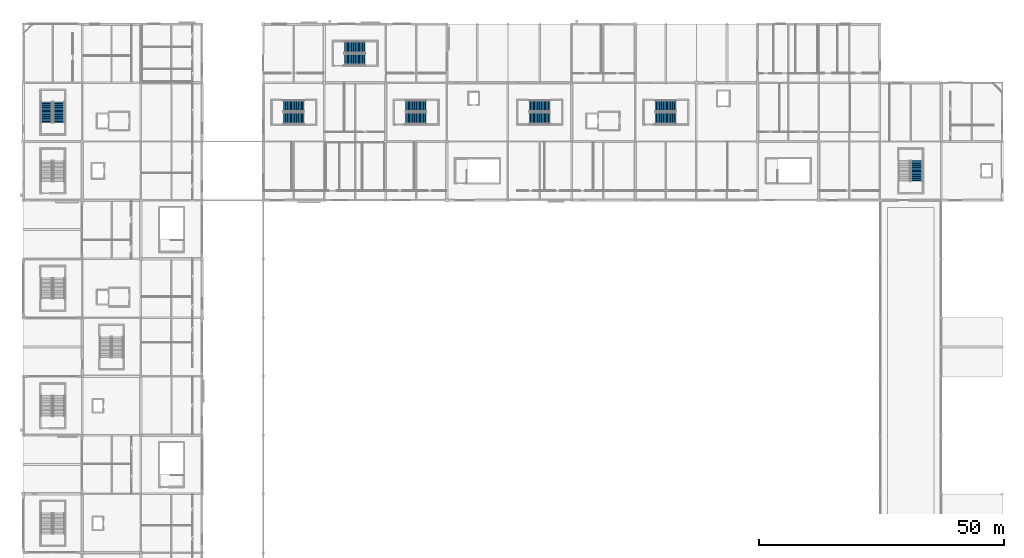
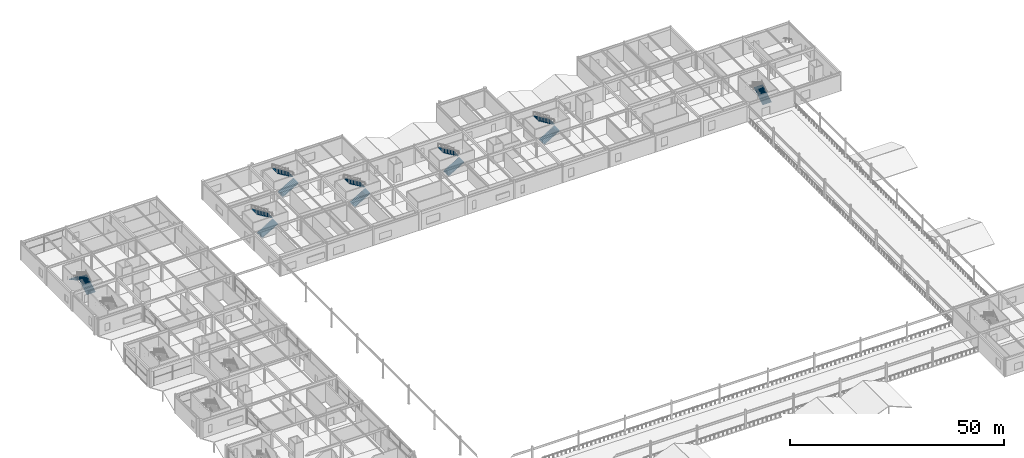
# One storey, part 86 of 105: 13 stair flights, 7 elements without a shape of their own.
"""IFC4 building model written with IfcOpenShell, lengths in metres."""

import ifcopenshell
import ifcopenshell.guid

model = None  # the IFC model being written
_history = None  # IfcOwnerHistory: only IFC2X3 demands one
_inside = {}  # id of a spatial element -> (the spatial element, [elements in it])
_under = {}  # id of a project, library or spatial element -> (it, [spatial elements below it])
_declared = {}  # id of a project -> (the project, [libraries it declares])
_typed = {}  # id of a type object -> (the type object, [elements of that type])
_made_of = {}  # id of a material, layer set ... -> (it, [elements and type objects made of it])


def new_model(schema):
    """Start an empty IFC model of exactly this schema.

    Asked for "IFC4X3", IfcOpenShell would pick the latest addendum, in which some entities
    have other attributes; the version numbers below select the first issue.
    IFC2X3 requires an IfcOwnerHistory on every rooted entity: one is made here for all.
    """
    global model, _history
    if schema == "IFC4X3":
        model = ifcopenshell.file(schema_version=(4, 3, 0, 0))
    else:
        model = ifcopenshell.file(schema=schema)
    _inside.clear()
    _under.clear()
    _declared.clear()
    _typed.clear()
    _made_of.clear()
    _history = None
    if model.schema == "IFC2X3":
        org = make("IfcOrganization", Name="unknown")
        user = make(
            "IfcPersonAndOrganization",
            ThePerson=make("IfcPerson", FamilyName="unknown"),
            TheOrganization=org,
        )
        app = make(
            "IfcApplication",
            ApplicationDeveloper=org,
            Version="unknown",
            ApplicationFullName="unknown",
            ApplicationIdentifier="unknown",
        )
        _history = make(
            "IfcOwnerHistory",
            OwningUser=user,
            OwningApplication=app,
            ChangeAction="ADDED",
            CreationDate=0,
        )
    return model


def make(cls, **values):
    """One entity of the class cls with the attributes given. An attribute that is None is left unset."""
    return model.create_entity(
        cls, **{name: value for name, value in values.items() if value is not None}
    )


def rooted(cls, **values):
    """An entity with a GlobalId (a new one), such as an element, a storey or a relation."""
    return make(cls, GlobalId=ifcopenshell.guid.new(), OwnerHistory=_history, **values)


def si_unit(unit_type, name, prefix=None):
    """IfcSIUnit, for example si_unit("LENGTHUNIT", "METRE", prefix="MILLI")."""
    return make("IfcSIUnit", UnitType=unit_type, Prefix=prefix, Name=name)


def assignment(units):
    """IfcUnitAssignment: the units of a project."""
    return None if units is None else make("IfcUnitAssignment", Units=units)


def point(xyz):
    """IfcCartesianPoint."""
    return None if xyz is None else make("IfcCartesianPoint", Coordinates=xyz)


def direction(xyz):
    """IfcDirection."""
    return None if xyz is None else make("IfcDirection", DirectionRatios=xyz)


def frame(location, z_axis=None, x_axis=None):
    """IfcAxis2Placement3D, a coordinate frame: its origin and axes. An axis left out is left unset."""
    return make(
        "IfcAxis2Placement3D",
        Location=point(location),
        Axis=direction(z_axis),
        RefDirection=direction(x_axis),
    )


def origin():
    """The frame at (0, 0, 0) with its axes left unset."""
    return frame((0.0, 0.0, 0.0))


def place(relative_to, where):
    """IfcLocalPlacement: puts the frame where relative to a parent placement (None: the world)."""
    return make(
        "IfcLocalPlacement", PlacementRelTo=relative_to, RelativePlacement=where
    )


def context(
    kind, dimensions, precision=None, world=None, true_north=None, identifier=None
):
    """IfcGeometricRepresentationContext, for example the 3D "Model" context."""
    return make(
        "IfcGeometricRepresentationContext",
        ContextIdentifier=identifier,
        ContextType=kind,
        CoordinateSpaceDimension=dimensions,
        Precision=precision,
        WorldCoordinateSystem=world,
        TrueNorth=true_north,
    )


def subcontext(parent, identifier, kind, view, scale=None):
    """IfcGeometricRepresentationSubContext, for example "Body" below "Model"."""
    return make(
        "IfcGeometricRepresentationSubContext",
        ContextIdentifier=identifier,
        ContextType=kind,
        ParentContext=parent,
        TargetScale=scale,
        TargetView=view,
    )


def project(units=None, contexts=None):
    """IfcProject with its units and contexts."""
    return rooted(
        "IfcProject",
        Name="project",
        RepresentationContexts=contexts,
        UnitsInContext=assignment(units),
    )


def spatial(cls, under=None, at=None, **own):
    """A site, building, storey or space (cls), placed at a placement, below another one or the project."""
    s = rooted(cls, ObjectPlacement=at, **own)
    if under is not None:
        _under.setdefault(under.id(), (under, []))[1].append(s)
    return s


def polyline(points):
    """IfcPolyline through the points."""
    return make("IfcPolyline", Points=[point(p) for p in points])


def outline(outer, holes=None, kind="AREA"):
    """IfcArbitraryClosedProfileDef: a profile drawn as a closed curve; with holes, ...WithVoids."""
    if holes is None:
        return make("IfcArbitraryClosedProfileDef", ProfileType=kind, OuterCurve=outer)
    return make(
        "IfcArbitraryProfileDefWithVoids",
        ProfileType=kind,
        OuterCurve=outer,
        InnerCurves=holes,
    )


def extrude(swept, where, along, depth):
    """IfcExtrudedAreaSolid: the profile swept, set in the frame where, extruded along a direction by depth."""
    return make(
        "IfcExtrudedAreaSolid",
        SweptArea=swept,
        Position=where,
        ExtrudedDirection=direction(along),
        Depth=depth,
    )


def shape(context_of_items, identifier, shape_type, items):
    """IfcShapeRepresentation: the items that make up one representation, for example the "Body"."""
    return make(
        "IfcShapeRepresentation",
        ContextOfItems=context_of_items,
        RepresentationIdentifier=identifier,
        RepresentationType=shape_type,
        Items=items,
    )


def material(Name=None, Category=None):
    """IfcMaterial."""
    return make("IfcMaterial", Name=Name, Category=Category)


def made_of(thing, what):
    """Note that an element or type object is made of a material, layer set ...; save() writes the relation."""
    if what is not None:
        _made_of.setdefault(what.id(), (what, []))[1].append(thing)
    return thing


def type_object(cls, material=None, **own):
    """A type object (cls), such as IfcWallType, which elements share."""
    return made_of(rooted(cls, **own), material)


def element(
    cls,
    number,
    at=None,
    inside=None,
    cuts=None,
    type_object=None,
    material=None,
    context=None,
    identifier="Body",
    shape_type=None,
    held_by="IfcProductDefinitionShape",
    body=None,
    shapes=None,
    **own,
):
    """One element of the class cls, such as IfcWall. Its Tag is "e" and its number.

    at: its placement. inside: the storey or other place that contains it. cuts: it is an
    opening in that element (IfcRelVoidsElement). A single representation is given by context,
    identifier, shape_type and body (its items); several are given by shapes. held_by: the class
    of the entity that holds the representations. save() writes the other relations.
    """
    e = rooted(cls, Tag="e%d" % number, ObjectPlacement=at, **own)
    if body is not None:
        shapes = [shape(context, identifier, shape_type, body)]
    if shapes is not None:
        e.Representation = make(held_by, Representations=shapes)
    if inside is not None:
        _inside.setdefault(inside.id(), (inside, []))[1].append(e)
    if cuts is not None:
        rooted(
            "IfcRelVoidsElement", RelatingBuildingElement=cuts, RelatedOpeningElement=e
        )
    if type_object is not None:
        _typed.setdefault(type_object.id(), (type_object, []))[1].append(e)
    return made_of(e, material)


def aggregate(whole, parts):
    """IfcRelAggregates: a whole, such as a stair, and the parts it consists of."""
    return rooted("IfcRelAggregates", RelatingObject=whole, RelatedObjects=parts)


def save(model, path):
    """Write the relations noted so far, then the file.

    IfcRelAggregates (storeys below a building ...), IfcRelContainedInSpatialStructure (elements
    in a storey), IfcRelDefinesByType, IfcRelAssociatesMaterial and IfcRelDeclares: one each for
    every whole, place, type object, material and project.
    """
    for whole, parts in _under.values():
        aggregate(whole, parts)
    for where, things in _inside.values():
        rooted(
            "IfcRelContainedInSpatialStructure",
            RelatedElements=things,
            RelatingStructure=where,
        )
    for kind, things in _typed.values():
        rooted("IfcRelDefinesByType", RelatedObjects=things, RelatingType=kind)
    for what, things in _made_of.values():
        rooted("IfcRelAssociatesMaterial", RelatedObjects=things, RelatingMaterial=what)
    for by, libraries in _declared.values():
        rooted("IfcRelDeclares", RelatingContext=by, RelatedDefinitions=libraries)
    model.write(path)


model = new_model("IFC4")

# Units and contexts
model_context = context("Model", 3, precision=1e-05, world=origin(), true_north=direction((0.0, 1.0)))
body_context = subcontext(model_context, "Body", "Model", "MODEL_VIEW")
ifc_project = project(units=[si_unit("LENGTHUNIT", "METRE"), si_unit("AREAUNIT", "SQUARE_METRE"), si_unit("VOLUMEUNIT", "CUBIC_METRE"), si_unit("PLANEANGLEUNIT", "RADIAN"), si_unit("MASSUNIT", "GRAM", prefix="KILO")], contexts=[model_context])

# Site, building, storey
site_placement = place(None, origin())
site = spatial("IfcSite", under=ifc_project, at=site_placement, CompositionType="ELEMENT")
building_placement = place(site_placement, origin())
building = spatial("IfcBuilding", under=site, at=building_placement, Name="Kazenohara Klinker Stadium", CompositionType="ELEMENT")
storey_placement = place(building_placement, frame((0.0, 0.0, 20.39990234375)))
storey = spatial("IfcBuildingStorey", under=building, at=storey_placement, Name="L04", CompositionType="ELEMENT", Elevation=20.39990234375)

# Stair, stair flights
ifc_material = material(Name="Concrete C40/50", Category="concrete")
stair_type_1 = type_object("IfcStairType", Name="STR-DL-2300", PredefinedType="HALF_TURN_STAIR", material=ifc_material)
stair_1_placement = place(storey_placement, origin())
stair_1 = element("IfcStair", 1, at=stair_1_placement, inside=storey, type_object=stair_type_1, Name="L04 Enclosed escape stair ST09", PredefinedType="HALF_TURN_STAIR")
stair_flight_type_1 = type_object("IfcStairFlightType", Name="FLT-DL-2300-5400", PredefinedType="STRAIGHT", material=ifc_material)
stair_flight_1_placement = place(storey_placement, frame((78.090087890625, 148.75, 0.0), z_axis=(0.0, 0.0, 1.0), x_axis=(1.0, 0.0, 0.0)))
stair_flight_1 = element("IfcStairFlight", 2, at=stair_flight_1_placement, type_object=stair_flight_type_1, Name="ST09 flight 1", NumberOfRisers=16, NumberOfTreads=15, PredefinedType="STRAIGHT", RiserHeight=0.16875, TreadLength=0.28, context=body_context, shape_type="SweptSolid", body=[
    extrude(outline(polyline([(0.0, 0.0), (0.0, 0.168701171875), (0.280029296875, 0.168701171875), (0.280029296875, 0.33740234375), (0.56005859375, 0.33740234375), (0.56005859375, 0.50634765625), (0.840087890625, 0.50634765625), (0.840087890625, 0.675048828125), (1.1201171875, 0.675048828125), (1.1201171875, 0.84375), (1.39990234375, 0.84375), (1.39990234375, 1.012451171875), (1.679931640625, 1.012451171875), (1.679931640625, 1.18115234375), (1.9599609375, 1.18115234375), (1.9599609375, 1.35009765625), (2.239990234375, 1.35009765625), (2.239990234375, 1.518798828125), (2.52001953125, 1.518798828125), (2.52001953125, 1.6875), (2.800048828125, 1.6875), (2.800048828125, 1.856201171875), (3.080078125, 1.856201171875), (3.080078125, 2.02490234375), (3.360107421875, 2.02490234375), (3.360107421875, 2.19384765625), (3.639892578125, 2.19384765625), (3.639892578125, 2.362548828125), (3.919921875, 2.362548828125), (3.919921875, 2.53125), (4.199951171875, 2.53125), (4.199951171875, 2.699951171875), (4.199951171875, 2.356201171875), (0.29052734375, 0.0), (0.0, 0.0)])), frame((0.0, 1.14990234375, 0.0), z_axis=(0.0, -1.0, 0.0), x_axis=(1.0, 0.0, 0.0)), (0.0, 0.0, 1.0), 2.300048828125),
])
stair_flight_2_placement = place(storey_placement, frame((82.2900390625, 151.25, 2.7001953125), z_axis=(0.0, 0.0, 1.0), x_axis=(-1.0, 0.0, 0.0)))
stair_flight_2 = element("IfcStairFlight", 3, at=stair_flight_2_placement, type_object=stair_flight_type_1, Name="ST09 flight 2", NumberOfRisers=16, NumberOfTreads=15, PredefinedType="STRAIGHT", RiserHeight=0.16875, TreadLength=0.28, context=body_context, shape_type="SweptSolid", body=[
    extrude(outline(polyline([(0.0, 0.0), (0.0, 0.168701171875), (0.280029296875, 0.168701171875), (0.280029296875, 0.33740234375), (0.56005859375, 0.33740234375), (0.56005859375, 0.50634765625), (0.840087890625, 0.50634765625), (0.840087890625, 0.675048828125), (1.1201171875, 0.675048828125), (1.1201171875, 0.84375), (1.39990234375, 0.84375), (1.39990234375, 1.012451171875), (1.679931640625, 1.012451171875), (1.679931640625, 1.18115234375), (1.9599609375, 1.18115234375), (1.9599609375, 1.35009765625), (2.239990234375, 1.35009765625), (2.239990234375, 1.518798828125), (2.52001953125, 1.518798828125), (2.52001953125, 1.6875), (2.800048828125, 1.6875), (2.800048828125, 1.856201171875), (3.080078125, 1.856201171875), (3.080078125, 2.02490234375), (3.360107421875, 2.02490234375), (3.360107421875, 2.19384765625), (3.639892578125, 2.19384765625), (3.639892578125, 2.362548828125), (3.919921875, 2.362548828125), (3.919921875, 2.53125), (4.199951171875, 2.53125), (4.199951171875, 2.699951171875), (4.199951171875, 2.356201171875), (0.29052734375, 0.0), (0.0, 0.0)])), frame((0.0, 1.14990234375, 0.0), z_axis=(0.0, -1.0, 0.0), x_axis=(1.0, 0.0, 0.0)), (0.0, 0.0, 1.0), 2.300048828125),
])
aggregate(stair_1, [stair_flight_1, stair_flight_2])

stair_type_2 = type_object("IfcStairType", Name="STR-DL-2310", PredefinedType="HALF_TURN_STAIR", material=ifc_material)
stair_2_placement = place(storey_placement, origin())
stair_2 = element("IfcStair", 4, at=stair_2_placement, inside=storey, type_object=stair_type_2, Name="L04 Enclosed escape stair ST06", PredefinedType="HALF_TURN_STAIR")
stair_flight_type_2 = type_object("IfcStairFlightType", Name="FLT-DL-2310-5400", PredefinedType="STRAIGHT", material=ifc_material)
stair_flight_3_placement = place(storey_placement, frame((7.2548828125, 147.85009765625, 0.0), z_axis=(0.0, 0.0, 1.0), x_axis=(0.0, 1.0, 0.0)))
stair_flight_3 = element("IfcStairFlight", 5, at=stair_flight_3_placement, type_object=stair_flight_type_2, Name="ST06 flight 1", NumberOfRisers=16, NumberOfTreads=15, PredefinedType="STRAIGHT", RiserHeight=0.16875, TreadLength=0.28, context=body_context, shape_type="SweptSolid", body=[
    extrude(outline(polyline([(0.0, 0.0), (0.0, 0.168701171875), (0.280029296875, 0.168701171875), (0.280029296875, 0.33740234375), (0.56005859375, 0.33740234375), (0.56005859375, 0.50634765625), (0.840087890625, 0.50634765625), (0.840087890625, 0.675048828125), (1.1201171875, 0.675048828125), (1.1201171875, 0.84375), (1.39990234375, 0.84375), (1.39990234375, 1.012451171875), (1.679931640625, 1.012451171875), (1.679931640625, 1.18115234375), (1.9599609375, 1.18115234375), (1.9599609375, 1.35009765625), (2.239990234375, 1.35009765625), (2.239990234375, 1.518798828125), (2.52001953125, 1.518798828125), (2.52001953125, 1.6875), (2.800048828125, 1.6875), (2.800048828125, 1.856201171875), (3.080078125, 1.856201171875), (3.080078125, 2.02490234375), (3.360107421875, 2.02490234375), (3.360107421875, 2.19384765625), (3.639892578125, 2.19384765625), (3.639892578125, 2.362548828125), (3.919921875, 2.362548828125), (3.919921875, 2.53125), (4.199951171875, 2.53125), (4.199951171875, 2.699951171875), (4.199951171875, 2.356201171875), (0.29052734375, 0.0), (0.0, 0.0)])), frame((0.0, 1.155029296875, 0.0), z_axis=(0.0, -1.0, 0.0), x_axis=(1.0, 0.0, 0.0)), (0.0, 0.0, 1.0), 2.31005859375),
])
stair_flight_4_placement = place(storey_placement, frame((4.7451171875, 152.050048828125, 2.7001953125), z_axis=(0.0, 0.0, 1.0), x_axis=(0.0, -1.0, 0.0)))
stair_flight_4 = element("IfcStairFlight", 6, at=stair_flight_4_placement, type_object=stair_flight_type_2, Name="ST06 flight 2", NumberOfRisers=16, NumberOfTreads=15, PredefinedType="STRAIGHT", RiserHeight=0.16875, TreadLength=0.28, context=body_context, shape_type="SweptSolid", body=[
    extrude(outline(polyline([(0.0, 0.0), (0.0, 0.168701171875), (0.280029296875, 0.168701171875), (0.280029296875, 0.33740234375), (0.56005859375, 0.33740234375), (0.56005859375, 0.50634765625), (0.840087890625, 0.50634765625), (0.840087890625, 0.675048828125), (1.1201171875, 0.675048828125), (1.1201171875, 0.84375), (1.39990234375, 0.84375), (1.39990234375, 1.012451171875), (1.679931640625, 1.012451171875), (1.679931640625, 1.18115234375), (1.9599609375, 1.18115234375), (1.9599609375, 1.35009765625), (2.239990234375, 1.35009765625), (2.239990234375, 1.518798828125), (2.52001953125, 1.518798828125), (2.52001953125, 1.6875), (2.800048828125, 1.6875), (2.800048828125, 1.856201171875), (3.080078125, 1.856201171875), (3.080078125, 2.02490234375), (3.360107421875, 2.02490234375), (3.360107421875, 2.19384765625), (3.639892578125, 2.19384765625), (3.639892578125, 2.362548828125), (3.919921875, 2.362548828125), (3.919921875, 2.53125), (4.199951171875, 2.53125), (4.199951171875, 2.699951171875), (4.199951171875, 2.356201171875), (0.29052734375, 0.0), (0.0, 0.0)])), frame((0.0, 1.155029296875, 0.0), z_axis=(0.0, -1.0, 0.0), x_axis=(1.0, 0.0, 0.0)), (0.0, 0.0, 1.0), 2.31005859375),
])
aggregate(stair_2, [stair_flight_3, stair_flight_4])

stair_3_placement = place(storey_placement, origin())
stair_3 = element("IfcStair", 7, at=stair_3_placement, inside=storey, type_object=stair_type_2, Name="L04 Enclosed escape stair ST10", PredefinedType="HALF_TURN_STAIR")
stair_flight_5_placement = place(storey_placement, frame((103.35009765625, 148.7451171875, 0.0), z_axis=(0.0, 0.0, 1.0), x_axis=(1.0, 0.0, 0.0)))
stair_flight_5 = element("IfcStairFlight", 8, at=stair_flight_5_placement, type_object=stair_flight_type_2, Name="ST10 flight 1", NumberOfRisers=16, NumberOfTreads=15, PredefinedType="STRAIGHT", RiserHeight=0.16875, TreadLength=0.28, context=body_context, shape_type="SweptSolid", body=[
    extrude(outline(polyline([(0.0, 0.0), (0.0, 0.168701171875), (0.280029296875, 0.168701171875), (0.280029296875, 0.33740234375), (0.56005859375, 0.33740234375), (0.56005859375, 0.50634765625), (0.840087890625, 0.50634765625), (0.840087890625, 0.675048828125), (1.1201171875, 0.675048828125), (1.1201171875, 0.84375), (1.39990234375, 0.84375), (1.39990234375, 1.012451171875), (1.679931640625, 1.012451171875), (1.679931640625, 1.18115234375), (1.9599609375, 1.18115234375), (1.9599609375, 1.35009765625), (2.239990234375, 1.35009765625), (2.239990234375, 1.518798828125), (2.52001953125, 1.518798828125), (2.52001953125, 1.6875), (2.800048828125, 1.6875), (2.800048828125, 1.856201171875), (3.080078125, 1.856201171875), (3.080078125, 2.02490234375), (3.360107421875, 2.02490234375), (3.360107421875, 2.19384765625), (3.639892578125, 2.19384765625), (3.639892578125, 2.362548828125), (3.919921875, 2.362548828125), (3.919921875, 2.53125), (4.199951171875, 2.53125), (4.199951171875, 2.699951171875), (4.199951171875, 2.356201171875), (0.29052734375, 0.0), (0.0, 0.0)])), frame((0.0, 1.155029296875, 0.0), z_axis=(0.0, -1.0, 0.0), x_axis=(1.0, 0.0, 0.0)), (0.0, 0.0, 1.0), 2.31005859375),
])
stair_flight_6_placement = place(storey_placement, frame((107.550048828125, 151.2548828125, 2.7001953125), z_axis=(0.0, 0.0, 1.0), x_axis=(-1.0, 0.0, 0.0)))
stair_flight_6 = element("IfcStairFlight", 9, at=stair_flight_6_placement, type_object=stair_flight_type_2, Name="ST10 flight 2", NumberOfRisers=16, NumberOfTreads=15, PredefinedType="STRAIGHT", RiserHeight=0.16875, TreadLength=0.28, context=body_context, shape_type="SweptSolid", body=[
    extrude(outline(polyline([(0.0, 0.0), (0.0, 0.168701171875), (0.280029296875, 0.168701171875), (0.280029296875, 0.33740234375), (0.56005859375, 0.33740234375), (0.56005859375, 0.50634765625), (0.840087890625, 0.50634765625), (0.840087890625, 0.675048828125), (1.1201171875, 0.675048828125), (1.1201171875, 0.84375), (1.39990234375, 0.84375), (1.39990234375, 1.012451171875), (1.679931640625, 1.012451171875), (1.679931640625, 1.18115234375), (1.9599609375, 1.18115234375), (1.9599609375, 1.35009765625), (2.239990234375, 1.35009765625), (2.239990234375, 1.518798828125), (2.52001953125, 1.518798828125), (2.52001953125, 1.6875), (2.800048828125, 1.6875), (2.800048828125, 1.856201171875), (3.080078125, 1.856201171875), (3.080078125, 2.02490234375), (3.360107421875, 2.02490234375), (3.360107421875, 2.19384765625), (3.639892578125, 2.19384765625), (3.639892578125, 2.362548828125), (3.919921875, 2.362548828125), (3.919921875, 2.53125), (4.199951171875, 2.53125), (4.199951171875, 2.699951171875), (4.199951171875, 2.356201171875), (0.29052734375, 0.0), (0.0, 0.0)])), frame((0.0, 1.155029296875, 0.0), z_axis=(0.0, -1.0, 0.0), x_axis=(1.0, 0.0, 0.0)), (0.0, 0.0, 1.0), 2.31005859375),
])
aggregate(stair_3, [stair_flight_5, stair_flight_6])

stair_type_3 = type_object("IfcStairType", Name="STR-DL-2330", PredefinedType="HALF_TURN_STAIR", material=ifc_material)
stair_4_placement = place(storey_placement, origin())
stair_4 = element("IfcStair", 10, at=stair_4_placement, inside=storey, type_object=stair_type_3, Name="L04 Enclosed escape stair ST11", PredefinedType="HALF_TURN_STAIR")
stair_flight_type_3 = type_object("IfcStairFlightType", Name="FLT-DL-2330-5400", PredefinedType="STRAIGHT", material=ifc_material)
stair_flight_7_placement = place(storey_placement, frame((129.1201171875, 148.735107421875, 0.0), z_axis=(0.0, 0.0, 1.0), x_axis=(1.0, 0.0, 0.0)))
stair_flight_7 = element("IfcStairFlight", 11, at=stair_flight_7_placement, type_object=stair_flight_type_3, Name="ST11 flight 1", NumberOfRisers=16, NumberOfTreads=15, PredefinedType="STRAIGHT", RiserHeight=0.16875, TreadLength=0.28, context=body_context, shape_type="SweptSolid", body=[
    extrude(outline(polyline([(0.0, 0.0), (0.0, 0.168701171875), (0.280029296875, 0.168701171875), (0.280029296875, 0.33740234375), (0.56005859375, 0.33740234375), (0.56005859375, 0.50634765625), (0.840087890625, 0.50634765625), (0.840087890625, 0.675048828125), (1.1201171875, 0.675048828125), (1.1201171875, 0.84375), (1.39990234375, 0.84375), (1.39990234375, 1.012451171875), (1.679931640625, 1.012451171875), (1.679931640625, 1.18115234375), (1.9599609375, 1.18115234375), (1.9599609375, 1.35009765625), (2.239990234375, 1.35009765625), (2.239990234375, 1.518798828125), (2.52001953125, 1.518798828125), (2.52001953125, 1.6875), (2.800048828125, 1.6875), (2.800048828125, 1.856201171875), (3.080078125, 1.856201171875), (3.080078125, 2.02490234375), (3.360107421875, 2.02490234375), (3.360107421875, 2.19384765625), (3.639892578125, 2.19384765625), (3.639892578125, 2.362548828125), (3.919921875, 2.362548828125), (3.919921875, 2.53125), (4.199951171875, 2.53125), (4.199951171875, 2.699951171875), (4.199951171875, 2.356201171875), (0.29052734375, 0.0), (0.0, 0.0)])), frame((0.0, 1.1650390625, 0.0), z_axis=(0.0, -1.0, 0.0), x_axis=(1.0, 0.0, 0.0)), (0.0, 0.0, 1.0), 2.330078125),
])
stair_flight_8_placement = place(storey_placement, frame((133.320068359375, 151.264892578125, 2.7001953125), z_axis=(0.0, 0.0, 1.0), x_axis=(-1.0, 0.0, 0.0)))
stair_flight_8 = element("IfcStairFlight", 12, at=stair_flight_8_placement, type_object=stair_flight_type_3, Name="ST11 flight 2", NumberOfRisers=16, NumberOfTreads=15, PredefinedType="STRAIGHT", RiserHeight=0.16875, TreadLength=0.28, context=body_context, shape_type="SweptSolid", body=[
    extrude(outline(polyline([(0.0, 0.0), (0.0, 0.168701171875), (0.280029296875, 0.168701171875), (0.280029296875, 0.33740234375), (0.56005859375, 0.33740234375), (0.56005859375, 0.50634765625), (0.840087890625, 0.50634765625), (0.840087890625, 0.675048828125), (1.1201171875, 0.675048828125), (1.1201171875, 0.84375), (1.39990234375, 0.84375), (1.39990234375, 1.012451171875), (1.679931640625, 1.012451171875), (1.679931640625, 1.18115234375), (1.9599609375, 1.18115234375), (1.9599609375, 1.35009765625), (2.239990234375, 1.35009765625), (2.239990234375, 1.518798828125), (2.52001953125, 1.518798828125), (2.52001953125, 1.6875), (2.800048828125, 1.6875), (2.800048828125, 1.856201171875), (3.080078125, 1.856201171875), (3.080078125, 2.02490234375), (3.360107421875, 2.02490234375), (3.360107421875, 2.19384765625), (3.639892578125, 2.19384765625), (3.639892578125, 2.362548828125), (3.919921875, 2.362548828125), (3.919921875, 2.53125), (4.199951171875, 2.53125), (4.199951171875, 2.699951171875), (4.199951171875, 2.356201171875), (0.29052734375, 0.0), (0.0, 0.0)])), frame((0.0, 1.1650390625, 0.0), z_axis=(0.0, -1.0, 0.0), x_axis=(1.0, 0.0, 0.0)), (0.0, 0.0, 1.0), 2.330078125),
])
aggregate(stair_4, [stair_flight_7, stair_flight_8])

stair_5_placement = place(storey_placement, origin())
stair_5 = element("IfcStair", 13, at=stair_5_placement, inside=storey, type_object=stair_type_3, Name="L04 Enclosed escape stair ST15", PredefinedType="HALF_TURN_STAIR")
stair_flight_9_placement = place(storey_placement, frame((65.6201171875, 160.735107421875, 0.0), z_axis=(0.0, 0.0, 1.0), x_axis=(1.0, 0.0, 0.0)))
stair_flight_9 = element("IfcStairFlight", 14, at=stair_flight_9_placement, type_object=stair_flight_type_3, Name="ST15 flight 1", NumberOfRisers=16, NumberOfTreads=15, PredefinedType="STRAIGHT", RiserHeight=0.16875, TreadLength=0.28, context=body_context, shape_type="SweptSolid", body=[
    extrude(outline(polyline([(0.0, 0.0), (0.0, 0.168701171875), (0.280029296875, 0.168701171875), (0.280029296875, 0.33740234375), (0.56005859375, 0.33740234375), (0.56005859375, 0.50634765625), (0.840087890625, 0.50634765625), (0.840087890625, 0.675048828125), (1.1201171875, 0.675048828125), (1.1201171875, 0.84375), (1.39990234375, 0.84375), (1.39990234375, 1.012451171875), (1.679931640625, 1.012451171875), (1.679931640625, 1.18115234375), (1.9599609375, 1.18115234375), (1.9599609375, 1.35009765625), (2.239990234375, 1.35009765625), (2.239990234375, 1.518798828125), (2.52001953125, 1.518798828125), (2.52001953125, 1.6875), (2.800048828125, 1.6875), (2.800048828125, 1.856201171875), (3.080078125, 1.856201171875), (3.080078125, 2.02490234375), (3.360107421875, 2.02490234375), (3.360107421875, 2.19384765625), (3.639892578125, 2.19384765625), (3.639892578125, 2.362548828125), (3.919921875, 2.362548828125), (3.919921875, 2.53125), (4.199951171875, 2.53125), (4.199951171875, 2.699951171875), (4.199951171875, 2.356201171875), (0.29052734375, 0.0), (0.0, 0.0)])), frame((0.0, 1.1650390625, 0.0), z_axis=(0.0, -1.0, 0.0), x_axis=(1.0, 0.0, 0.0)), (0.0, 0.0, 1.0), 2.330078125),
])
stair_flight_10_placement = place(storey_placement, frame((69.820068359375, 163.264892578125, 2.7001953125), z_axis=(0.0, 0.0, 1.0), x_axis=(-1.0, 0.0, 0.0)))
stair_flight_10 = element("IfcStairFlight", 15, at=stair_flight_10_placement, type_object=stair_flight_type_3, Name="ST15 flight 2", NumberOfRisers=16, NumberOfTreads=15, PredefinedType="STRAIGHT", RiserHeight=0.16875, TreadLength=0.28, context=body_context, shape_type="SweptSolid", body=[
    extrude(outline(polyline([(0.0, 0.0), (0.0, 0.168701171875), (0.280029296875, 0.168701171875), (0.280029296875, 0.33740234375), (0.56005859375, 0.33740234375), (0.56005859375, 0.50634765625), (0.840087890625, 0.50634765625), (0.840087890625, 0.675048828125), (1.1201171875, 0.675048828125), (1.1201171875, 0.84375), (1.39990234375, 0.84375), (1.39990234375, 1.012451171875), (1.679931640625, 1.012451171875), (1.679931640625, 1.18115234375), (1.9599609375, 1.18115234375), (1.9599609375, 1.35009765625), (2.239990234375, 1.35009765625), (2.239990234375, 1.518798828125), (2.52001953125, 1.518798828125), (2.52001953125, 1.6875), (2.800048828125, 1.6875), (2.800048828125, 1.856201171875), (3.080078125, 1.856201171875), (3.080078125, 2.02490234375), (3.360107421875, 2.02490234375), (3.360107421875, 2.19384765625), (3.639892578125, 2.19384765625), (3.639892578125, 2.362548828125), (3.919921875, 2.362548828125), (3.919921875, 2.53125), (4.199951171875, 2.53125), (4.199951171875, 2.699951171875), (4.199951171875, 2.356201171875), (0.29052734375, 0.0), (0.0, 0.0)])), frame((0.0, 1.1650390625, 0.0), z_axis=(0.0, -1.0, 0.0), x_axis=(1.0, 0.0, 0.0)), (0.0, 0.0, 1.0), 2.330078125),
])
aggregate(stair_5, [stair_flight_9, stair_flight_10])

stair_type_4 = type_object("IfcStairType", Name="STR-DL-2340", PredefinedType="HALF_TURN_STAIR", material=ifc_material)
stair_6_placement = place(storey_placement, origin())
stair_6 = element("IfcStair", 16, at=stair_6_placement, inside=storey, type_object=stair_type_4, Name="L04 Enclosed escape stair ST08", PredefinedType="HALF_TURN_STAIR")
stair_flight_type_4 = type_object("IfcStairFlightType", Name="FLT-DL-2340-5400", PredefinedType="STRAIGHT", material=ifc_material)
stair_flight_11_placement = place(storey_placement, frame((53.1298828125, 148.72998046875, 0.0), z_axis=(0.0, 0.0, 1.0), x_axis=(1.0, 0.0, 0.0)))
stair_flight_11 = element("IfcStairFlight", 17, at=stair_flight_11_placement, type_object=stair_flight_type_4, Name="ST08 flight 1", NumberOfRisers=16, NumberOfTreads=15, PredefinedType="STRAIGHT", RiserHeight=0.16875, TreadLength=0.28, context=body_context, shape_type="SweptSolid", body=[
    extrude(outline(polyline([(0.0, 0.0), (0.0, 0.168701171875), (0.280029296875, 0.168701171875), (0.280029296875, 0.33740234375), (0.56005859375, 0.33740234375), (0.56005859375, 0.50634765625), (0.840087890625, 0.50634765625), (0.840087890625, 0.675048828125), (1.1201171875, 0.675048828125), (1.1201171875, 0.84375), (1.39990234375, 0.84375), (1.39990234375, 1.012451171875), (1.679931640625, 1.012451171875), (1.679931640625, 1.18115234375), (1.9599609375, 1.18115234375), (1.9599609375, 1.35009765625), (2.239990234375, 1.35009765625), (2.239990234375, 1.518798828125), (2.52001953125, 1.518798828125), (2.52001953125, 1.6875), (2.800048828125, 1.6875), (2.800048828125, 1.856201171875), (3.080078125, 1.856201171875), (3.080078125, 2.02490234375), (3.360107421875, 2.02490234375), (3.360107421875, 2.19384765625), (3.639892578125, 2.19384765625), (3.639892578125, 2.362548828125), (3.919921875, 2.362548828125), (3.919921875, 2.53125), (4.199951171875, 2.53125), (4.199951171875, 2.699951171875), (4.199951171875, 2.356201171875), (0.29052734375, 0.0), (0.0, 0.0)])), frame((0.0, 1.169921875, 0.0), z_axis=(0.0, -1.0, 0.0), x_axis=(1.0, 0.0, 0.0)), (0.0, 0.0, 1.0), 2.340087890625),
])
stair_flight_12_placement = place(storey_placement, frame((57.330078125, 151.27001953125, 2.7001953125), z_axis=(0.0, 0.0, 1.0), x_axis=(-1.0, 0.0, 0.0)))
stair_flight_12 = element("IfcStairFlight", 18, at=stair_flight_12_placement, type_object=stair_flight_type_4, Name="ST08 flight 2", NumberOfRisers=16, NumberOfTreads=15, PredefinedType="STRAIGHT", RiserHeight=0.16875, TreadLength=0.28, context=body_context, shape_type="SweptSolid", body=[
    extrude(outline(polyline([(0.0, 0.0), (0.0, 0.168701171875), (0.280029296875, 0.168701171875), (0.280029296875, 0.33740234375), (0.56005859375, 0.33740234375), (0.56005859375, 0.50634765625), (0.840087890625, 0.50634765625), (0.840087890625, 0.675048828125), (1.1201171875, 0.675048828125), (1.1201171875, 0.84375), (1.39990234375, 0.84375), (1.39990234375, 1.012451171875), (1.679931640625, 1.012451171875), (1.679931640625, 1.18115234375), (1.9599609375, 1.18115234375), (1.9599609375, 1.35009765625), (2.239990234375, 1.35009765625), (2.239990234375, 1.518798828125), (2.52001953125, 1.518798828125), (2.52001953125, 1.6875), (2.800048828125, 1.6875), (2.800048828125, 1.856201171875), (3.080078125, 1.856201171875), (3.080078125, 2.02490234375), (3.360107421875, 2.02490234375), (3.360107421875, 2.19384765625), (3.639892578125, 2.19384765625), (3.639892578125, 2.362548828125), (3.919921875, 2.362548828125), (3.919921875, 2.53125), (4.199951171875, 2.53125), (4.199951171875, 2.699951171875), (4.199951171875, 2.356201171875), (0.29052734375, 0.0), (0.0, 0.0)])), frame((0.0, 1.169921875, 0.0), z_axis=(0.0, -1.0, 0.0), x_axis=(1.0, 0.0, 0.0)), (0.0, 0.0, 1.0), 2.340087890625),
])
aggregate(stair_6, [stair_flight_11, stair_flight_12])

# Stair, stair flight
stair_7_placement = place(storey_placement, origin())
stair_7 = element("IfcStair", 19, at=stair_7_placement, inside=storey, type_object=stair_type_4, Name="L04 Enclosed escape stair ST12", PredefinedType="HALF_TURN_STAIR")
stair_flight_13_placement = place(storey_placement, frame((182.52001953125, 135.8798828125, 0.0), z_axis=(0.0, 0.0, 1.0), x_axis=(0.0, 1.0, 0.0)))
stair_flight_13 = element("IfcStairFlight", 20, at=stair_flight_13_placement, type_object=stair_flight_type_4, Name="ST12 flight 1", NumberOfRisers=16, NumberOfTreads=15, PredefinedType="STRAIGHT", RiserHeight=0.16875, TreadLength=0.28, context=body_context, shape_type="SweptSolid", body=[
    extrude(outline(polyline([(0.0, 0.0), (0.0, 0.168701171875), (0.280029296875, 0.168701171875), (0.280029296875, 0.33740234375), (0.56005859375, 0.33740234375), (0.56005859375, 0.50634765625), (0.840087890625, 0.50634765625), (0.840087890625, 0.675048828125), (1.1201171875, 0.675048828125), (1.1201171875, 0.84375), (1.39990234375, 0.84375), (1.39990234375, 1.012451171875), (1.679931640625, 1.012451171875), (1.679931640625, 1.18115234375), (1.9599609375, 1.18115234375), (1.9599609375, 1.35009765625), (2.239990234375, 1.35009765625), (2.239990234375, 1.518798828125), (2.52001953125, 1.518798828125), (2.52001953125, 1.6875), (2.800048828125, 1.6875), (2.800048828125, 1.856201171875), (3.080078125, 1.856201171875), (3.080078125, 2.02490234375), (3.360107421875, 2.02490234375), (3.360107421875, 2.19384765625), (3.639892578125, 2.19384765625), (3.639892578125, 2.362548828125), (3.919921875, 2.362548828125), (3.919921875, 2.53125), (4.199951171875, 2.53125), (4.199951171875, 2.699951171875), (4.199951171875, 2.356201171875), (0.29052734375, 0.0), (0.0, 0.0)])), frame((0.0, 1.169921875, 0.0), z_axis=(0.0, -1.0, 0.0), x_axis=(1.0, 0.0, 0.0)), (0.0, 0.0, 1.0), 2.340087890625),
])
aggregate(stair_7, [stair_flight_13])

save(model, "model.ifc")
